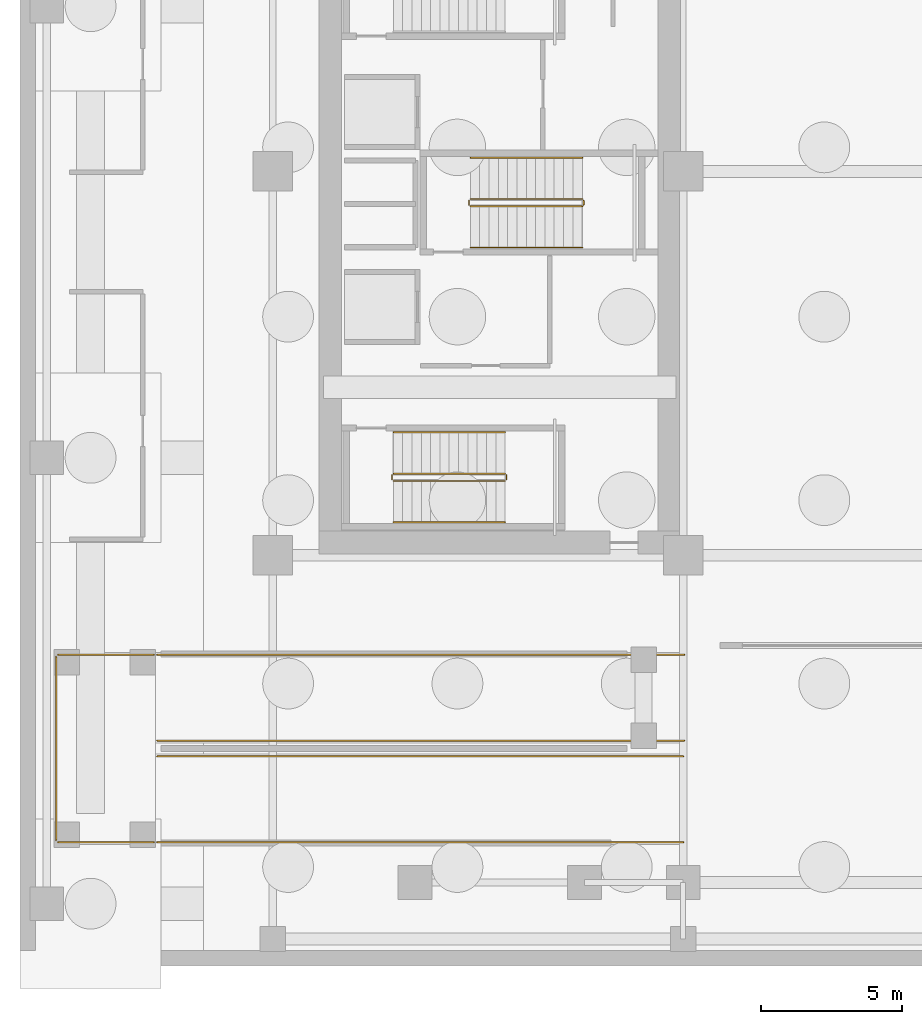
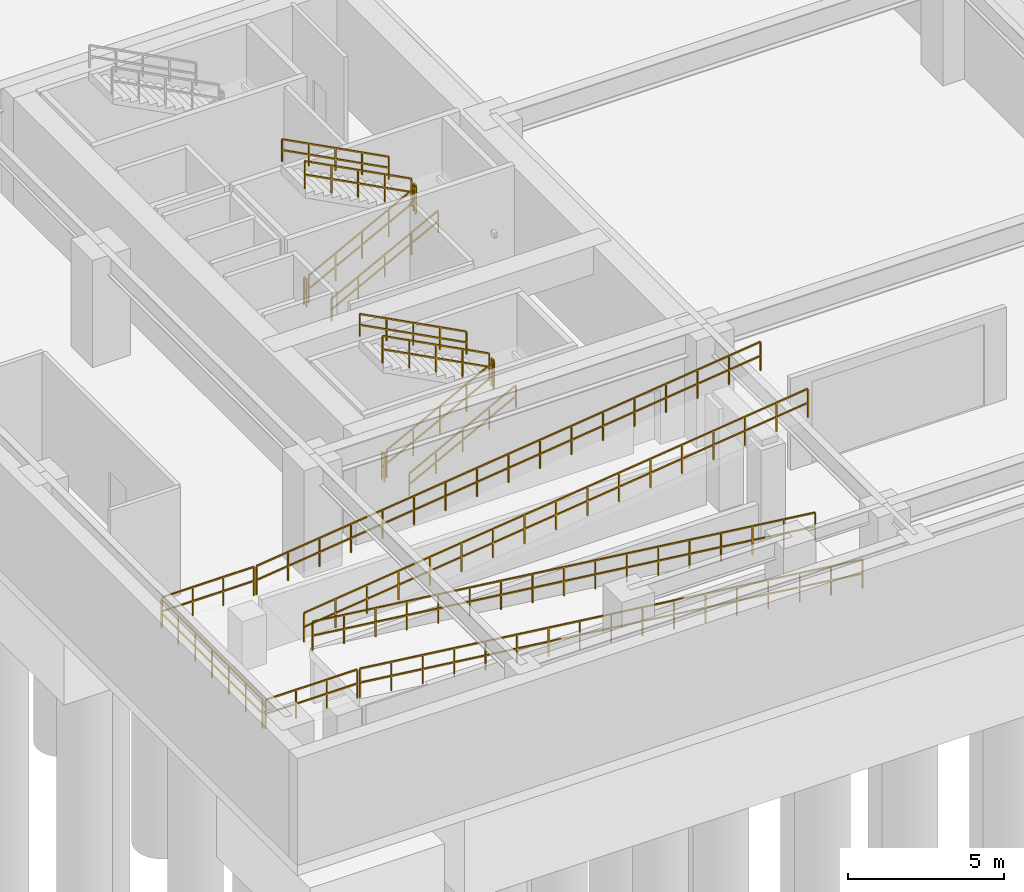
# One storey, part 6 of 9: 19 railings.
"""IFC4 building model written with IfcOpenShell, lengths in metres."""

from ifc_helpers import new_model, si_unit, direction, frame, origin, origin_2d, place, context, subcontext, project, spatial, rectangle, extrude, material, type_object, element, save


model = new_model("IFC4")

# Units and contexts
model_context = context("Model", 3, precision=1e-05, world=origin(), true_north=direction((0.0, 1.0)))
body_context = subcontext(model_context, "Body", "Model", "MODEL_VIEW")
ifc_project = project(units=[si_unit("LENGTHUNIT", "METRE"), si_unit("AREAUNIT", "SQUARE_METRE"), si_unit("VOLUMEUNIT", "CUBIC_METRE"), si_unit("PLANEANGLEUNIT", "RADIAN"), si_unit("MASSUNIT", "GRAM", prefix="KILO")], contexts=[model_context])

# Site, building, storey
site_placement = place(None, origin())
site = spatial("IfcSite", under=ifc_project, at=site_placement, CompositionType="ELEMENT")
building_placement = place(site_placement, origin())
building = spatial("IfcBuilding", under=site, at=building_placement, Name="Ocotamira Hotel", CompositionType="ELEMENT")
storey_placement = place(building_placement, frame((0.0, 0.0, -9.0)))
storey = spatial("IfcBuildingStorey", under=building, at=storey_placement, Name="B02", CompositionType="ELEMENT", Elevation=-9.0)

# Railings
ifc_material_1 = material(Name="Painted steel stair guardrail", Category="steel")
railing_type_1 = type_object("IfcRailingType", Name="RL-EDGE-1150", PredefinedType="GUARDRAIL", material=ifc_material_1)
railing_1_placement = place(storey_placement, frame((4.75, 4.3798828125, 2.25)))
element("IfcRailing", 1, at=railing_1_placement, inside=storey, type_object=railing_type_1, Name="VR-1 Mid Landing Guardrail S", PredefinedType="GUARDRAIL", context=body_context, shape_type="SweptSolid", body=[
    extrude(rectangle(XDim=0.048095703125, YDim=0.048095703125, at=origin_2d()), frame((0.0, 0.0, 1.1259765625), z_axis=(-1.0, 0.0, 0.0), x_axis=(0.0, -1.0, 0.0)), (0.0, 0.0, 1.0), 3.39990234375),
    extrude(rectangle(XDim=0.048095703125, YDim=0.048095703125, at=origin_2d()), frame((0.0, 0.0, 0.574951171875), z_axis=(-1.0, 0.0, 0.0), x_axis=(0.0, -1.0, 0.0)), (0.0, 0.0, 1.0), 3.39990234375),
    extrude(rectangle(XDim=0.0419921875, YDim=0.0419921875, at=origin_2d()), origin(), (0.0, 0.0, 1.0), 1.101806640625),
    extrude(rectangle(XDim=0.0419921875, YDim=0.0419921875, at=origin_2d()), frame((-1.13330078125, 0.0, 0.0)), (0.0, 0.0, 1.0), 1.101806640625),
    extrude(rectangle(XDim=0.0419921875, YDim=0.0419921875, at=origin_2d()), frame((-2.2666015625, 0.0, 0.0)), (0.0, 0.0, 1.0), 1.101806640625),
    extrude(rectangle(XDim=0.0419921875, YDim=0.0419921875, at=origin_2d()), frame((-3.39990234375, 0.0, 0.0)), (0.0, 0.0, 1.0), 1.101806640625),
])
railing_2_placement = place(storey_placement, frame((1.280029296875, 4.449951171875, 2.25)))
element("IfcRailing", 2, at=railing_2_placement, inside=storey, type_object=railing_type_1, Name="VR-1 Mid Landing Guardrail W", PredefinedType="GUARDRAIL", context=body_context, shape_type="SweptSolid", body=[
    extrude(rectangle(XDim=0.048095703125, YDim=0.048095703125, at=origin_2d()), frame((0.0, 0.0, 1.1259765625), z_axis=(0.0, 1.0, 0.0), x_axis=(-1.0, 0.0, 0.0)), (0.0, 0.0, 1.0), 6.5),
    extrude(rectangle(XDim=0.048095703125, YDim=0.048095703125, at=origin_2d()), frame((0.0, 0.0, 0.574951171875), z_axis=(0.0, 1.0, 0.0), x_axis=(-1.0, 0.0, 0.0)), (0.0, 0.0, 1.0), 6.5),
    extrude(rectangle(XDim=0.0419921875, YDim=0.0419921875, at=origin_2d()), origin(), (0.0, 0.0, 1.0), 1.101806640625),
    extrude(rectangle(XDim=0.0419921875, YDim=0.0419921875, at=origin_2d()), frame((0.0, 1.083251953125, 0.0)), (0.0, 0.0, 1.0), 1.101806640625),
    extrude(rectangle(XDim=0.0419921875, YDim=0.0419921875, at=origin_2d()), frame((0.0, 2.166748046875, 0.0)), (0.0, 0.0, 1.0), 1.101806640625),
    extrude(rectangle(XDim=0.0419921875, YDim=0.0419921875, at=origin_2d()), frame((0.0, 3.25, 0.0)), (0.0, 0.0, 1.0), 1.101806640625),
    extrude(rectangle(XDim=0.0419921875, YDim=0.0419921875, at=origin_2d()), frame((0.0, 4.333251953125, 0.0)), (0.0, 0.0, 1.0), 1.101806640625),
    extrude(rectangle(XDim=0.0419921875, YDim=0.0419921875, at=origin_2d()), frame((0.0, 5.416748046875, 0.0)), (0.0, 0.0, 1.0), 1.101806640625),
    extrude(rectangle(XDim=0.0419921875, YDim=0.0419921875, at=origin_2d()), frame((0.0, 6.5, 0.0)), (0.0, 0.0, 1.0), 1.101806640625),
])
railing_3_placement = place(storey_placement, frame((1.35009765625, 11.02001953125, 2.25)))
element("IfcRailing", 3, at=railing_3_placement, inside=storey, type_object=railing_type_1, Name="VR-1 Mid Landing Guardrail N", PredefinedType="GUARDRAIL", context=body_context, shape_type="SweptSolid", body=[
    extrude(rectangle(XDim=0.048095703125, YDim=0.048095703125, at=origin_2d()), frame((0.0, 0.0, 1.1259765625), z_axis=(1.0, 0.0, 0.0), x_axis=(0.0, 1.0, 0.0)), (0.0, 0.0, 1.0), 3.39990234375),
    extrude(rectangle(XDim=0.048095703125, YDim=0.048095703125, at=origin_2d()), frame((0.0, 0.0, 0.574951171875), z_axis=(1.0, 0.0, 0.0), x_axis=(0.0, 1.0, 0.0)), (0.0, 0.0, 1.0), 3.39990234375),
    extrude(rectangle(XDim=0.0419921875, YDim=0.0419921875, at=origin_2d()), origin(), (0.0, 0.0, 1.0), 1.101806640625),
    extrude(rectangle(XDim=0.0419921875, YDim=0.0419921875, at=origin_2d()), frame((1.13330078125, 0.0, 0.0)), (0.0, 0.0, 1.0), 1.101806640625),
    extrude(rectangle(XDim=0.0419921875, YDim=0.0419921875, at=origin_2d()), frame((2.2666015625, 0.0, 0.0)), (0.0, 0.0, 1.0), 1.101806640625),
    extrude(rectangle(XDim=0.0419921875, YDim=0.0419921875, at=origin_2d()), frame((3.39990234375, 0.0, 0.0)), (0.0, 0.0, 1.0), 1.101806640625),
])
railing_4_placement = place(storey_placement, frame((23.5, 4.3798828125, 0.0)))
element("IfcRailing", 4, at=railing_4_placement, inside=storey, type_object=railing_type_1, Name="VR-1 Ramp Guardrail F1S", PredefinedType="GUARDRAIL", context=body_context, shape_type="SweptSolid", body=[
    extrude(rectangle(XDim=0.048095703125, YDim=0.048095703125, at=origin_2d()), frame((0.0, 0.0, 1.1259765625), z_axis=(-0.992800996426, 0.0, 0.119775546316), x_axis=(0.0, -1.0, 0.0)), (0.0, 0.0, 1.0), 18.78515625),
    extrude(rectangle(XDim=0.048095703125, YDim=0.048095703125, at=origin_2d()), frame((0.0, 0.0, 0.574951171875), z_axis=(-0.992800996426, 0.0, 0.119775546316), x_axis=(0.0, -1.0, 0.0)), (0.0, 0.0, 1.0), 18.78515625),
    extrude(rectangle(XDim=0.0419921875, YDim=0.0419921875, at=origin_2d()), origin(), (0.0, 0.0, 1.0), 1.101806640625),
    extrude(rectangle(XDim=0.0419921875, YDim=0.0419921875, at=origin_2d()), frame((-1.16552734375, 0.0, 0.140625)), (0.0, 0.0, 1.0), 1.101806640625),
    extrude(rectangle(XDim=0.0419921875, YDim=0.0419921875, at=origin_2d()), frame((-2.331298828125, 0.0, 0.28125)), (0.0, 0.0, 1.0), 1.101806640625),
    extrude(rectangle(XDim=0.0419921875, YDim=0.0419921875, at=origin_2d()), frame((-3.496826171875, 0.0, 0.421875)), (0.0, 0.0, 1.0), 1.101806640625),
    extrude(rectangle(XDim=0.0419921875, YDim=0.0419921875, at=origin_2d()), frame((-4.66259765625, 0.0, 0.5625)), (0.0, 0.0, 1.0), 1.101806640625),
    extrude(rectangle(XDim=0.0419921875, YDim=0.0419921875, at=origin_2d()), frame((-5.828125, 0.0, 0.703125)), (0.0, 0.0, 1.0), 1.101806640625),
    extrude(rectangle(XDim=0.0419921875, YDim=0.0419921875, at=origin_2d()), frame((-6.99365234375, 0.0, 0.84375)), (0.0, 0.0, 1.0), 1.101806640625),
    extrude(rectangle(XDim=0.0419921875, YDim=0.0419921875, at=origin_2d()), frame((-8.159423828125, 0.0, 0.984375)), (0.0, 0.0, 1.0), 1.101806640625),
    extrude(rectangle(XDim=0.0419921875, YDim=0.0419921875, at=origin_2d()), frame((-9.324951171875, 0.0, 1.125)), (0.0, 0.0, 1.0), 1.101806640625),
    extrude(rectangle(XDim=0.0419921875, YDim=0.0419921875, at=origin_2d()), frame((-10.490478515625, 0.0, 1.265625)), (0.0, 0.0, 1.0), 1.101806640625),
    extrude(rectangle(XDim=0.0419921875, YDim=0.0419921875, at=origin_2d()), frame((-11.65625, 0.0, 1.40625)), (0.0, 0.0, 1.0), 1.101806640625),
    extrude(rectangle(XDim=0.0419921875, YDim=0.0419921875, at=origin_2d()), frame((-12.82177734375, 0.0, 1.546875)), (0.0, 0.0, 1.0), 1.101806640625),
    extrude(rectangle(XDim=0.0419921875, YDim=0.0419921875, at=origin_2d()), frame((-13.9873046875, 0.0, 1.6875)), (0.0, 0.0, 1.0), 1.101806640625),
    extrude(rectangle(XDim=0.0419921875, YDim=0.0419921875, at=origin_2d()), frame((-15.153076171875, 0.0, 1.828125)), (0.0, 0.0, 1.0), 1.101806640625),
    extrude(rectangle(XDim=0.0419921875, YDim=0.0419921875, at=origin_2d()), frame((-16.318603515625, 0.0, 1.96875)), (0.0, 0.0, 1.0), 1.101806640625),
    extrude(rectangle(XDim=0.0419921875, YDim=0.0419921875, at=origin_2d()), frame((-17.484375, 0.0, 2.109375)), (0.0, 0.0, 1.0), 1.101806640625),
    extrude(rectangle(XDim=0.0419921875, YDim=0.0419921875, at=origin_2d()), frame((-18.64990234375, 0.0, 2.25)), (0.0, 0.0, 1.0), 1.101806640625),
])
railing_5_placement = place(storey_placement, frame((23.5, 7.419921875, 0.0)))
element("IfcRailing", 5, at=railing_5_placement, inside=storey, type_object=railing_type_1, Name="VR-1 Ramp Guardrail F1N", PredefinedType="GUARDRAIL", context=body_context, shape_type="SweptSolid", body=[
    extrude(rectangle(XDim=0.048095703125, YDim=0.048095703125, at=origin_2d()), frame((0.0, 0.0, 1.1259765625), z_axis=(-0.992800996426, 0.0, 0.119775546316), x_axis=(0.0, -1.0, 0.0)), (0.0, 0.0, 1.0), 18.78515625),
    extrude(rectangle(XDim=0.048095703125, YDim=0.048095703125, at=origin_2d()), frame((0.0, 0.0, 0.574951171875), z_axis=(-0.992800996426, 0.0, 0.119775546316), x_axis=(0.0, -1.0, 0.0)), (0.0, 0.0, 1.0), 18.78515625),
    extrude(rectangle(XDim=0.0419921875, YDim=0.0419921875, at=origin_2d()), origin(), (0.0, 0.0, 1.0), 1.101806640625),
    extrude(rectangle(XDim=0.0419921875, YDim=0.0419921875, at=origin_2d()), frame((-1.16552734375, 0.0, 0.140625)), (0.0, 0.0, 1.0), 1.101806640625),
    extrude(rectangle(XDim=0.0419921875, YDim=0.0419921875, at=origin_2d()), frame((-2.331298828125, 0.0, 0.28125)), (0.0, 0.0, 1.0), 1.101806640625),
    extrude(rectangle(XDim=0.0419921875, YDim=0.0419921875, at=origin_2d()), frame((-3.496826171875, 0.0, 0.421875)), (0.0, 0.0, 1.0), 1.101806640625),
    extrude(rectangle(XDim=0.0419921875, YDim=0.0419921875, at=origin_2d()), frame((-4.66259765625, 0.0, 0.5625)), (0.0, 0.0, 1.0), 1.101806640625),
    extrude(rectangle(XDim=0.0419921875, YDim=0.0419921875, at=origin_2d()), frame((-5.828125, 0.0, 0.703125)), (0.0, 0.0, 1.0), 1.101806640625),
    extrude(rectangle(XDim=0.0419921875, YDim=0.0419921875, at=origin_2d()), frame((-6.99365234375, 0.0, 0.84375)), (0.0, 0.0, 1.0), 1.101806640625),
    extrude(rectangle(XDim=0.0419921875, YDim=0.0419921875, at=origin_2d()), frame((-8.159423828125, 0.0, 0.984375)), (0.0, 0.0, 1.0), 1.101806640625),
    extrude(rectangle(XDim=0.0419921875, YDim=0.0419921875, at=origin_2d()), frame((-9.324951171875, 0.0, 1.125)), (0.0, 0.0, 1.0), 1.101806640625),
    extrude(rectangle(XDim=0.0419921875, YDim=0.0419921875, at=origin_2d()), frame((-10.490478515625, 0.0, 1.265625)), (0.0, 0.0, 1.0), 1.101806640625),
    extrude(rectangle(XDim=0.0419921875, YDim=0.0419921875, at=origin_2d()), frame((-11.65625, 0.0, 1.40625)), (0.0, 0.0, 1.0), 1.101806640625),
    extrude(rectangle(XDim=0.0419921875, YDim=0.0419921875, at=origin_2d()), frame((-12.82177734375, 0.0, 1.546875)), (0.0, 0.0, 1.0), 1.101806640625),
    extrude(rectangle(XDim=0.0419921875, YDim=0.0419921875, at=origin_2d()), frame((-13.9873046875, 0.0, 1.6875)), (0.0, 0.0, 1.0), 1.101806640625),
    extrude(rectangle(XDim=0.0419921875, YDim=0.0419921875, at=origin_2d()), frame((-15.153076171875, 0.0, 1.828125)), (0.0, 0.0, 1.0), 1.101806640625),
    extrude(rectangle(XDim=0.0419921875, YDim=0.0419921875, at=origin_2d()), frame((-16.318603515625, 0.0, 1.96875)), (0.0, 0.0, 1.0), 1.101806640625),
    extrude(rectangle(XDim=0.0419921875, YDim=0.0419921875, at=origin_2d()), frame((-17.484375, 0.0, 2.109375)), (0.0, 0.0, 1.0), 1.101806640625),
    extrude(rectangle(XDim=0.0419921875, YDim=0.0419921875, at=origin_2d()), frame((-18.64990234375, 0.0, 2.25)), (0.0, 0.0, 1.0), 1.101806640625),
])
railing_6_placement = place(storey_placement, frame((4.85009765625, 7.97998046875, 2.25)))
element("IfcRailing", 6, at=railing_6_placement, inside=storey, type_object=railing_type_1, Name="VR-1 Ramp Guardrail F2S", PredefinedType="GUARDRAIL", context=body_context, shape_type="SweptSolid", body=[
    extrude(rectangle(XDim=0.048095703125, YDim=0.048095703125, at=origin_2d()), frame((0.0, 0.0, 1.1259765625), z_axis=(0.992839067522, 0.0, 0.119459558017), x_axis=(0.0, 1.0, 0.0)), (0.0, 0.0, 1.0), 18.834716796875),
    extrude(rectangle(XDim=0.048095703125, YDim=0.048095703125, at=origin_2d()), frame((0.0, 0.0, 0.574951171875), z_axis=(0.992839067522, 0.0, 0.119459558017), x_axis=(0.0, 1.0, 0.0)), (0.0, 0.0, 1.0), 18.834716796875),
    extrude(rectangle(XDim=0.0419921875, YDim=0.0419921875, at=origin_2d()), origin(), (0.0, 0.0, 1.0), 1.101806640625),
    extrude(rectangle(XDim=0.0419921875, YDim=0.0419921875, at=origin_2d()), frame((1.168701171875, 0.0, 0.140625)), (0.0, 0.0, 1.0), 1.101806640625),
    extrude(rectangle(XDim=0.0419921875, YDim=0.0419921875, at=origin_2d()), frame((2.33740234375, 0.0, 0.28125)), (0.0, 0.0, 1.0), 1.101806640625),
    extrude(rectangle(XDim=0.0419921875, YDim=0.0419921875, at=origin_2d()), frame((3.50634765625, 0.0, 0.421875)), (0.0, 0.0, 1.0), 1.101806640625),
    extrude(rectangle(XDim=0.0419921875, YDim=0.0419921875, at=origin_2d()), frame((4.675048828125, 0.0, 0.5625)), (0.0, 0.0, 1.0), 1.101806640625),
    extrude(rectangle(XDim=0.0419921875, YDim=0.0419921875, at=origin_2d()), frame((5.84375, 0.0, 0.703125)), (0.0, 0.0, 1.0), 1.101806640625),
    extrude(rectangle(XDim=0.0419921875, YDim=0.0419921875, at=origin_2d()), frame((7.012451171875, 0.0, 0.84375)), (0.0, 0.0, 1.0), 1.101806640625),
    extrude(rectangle(XDim=0.0419921875, YDim=0.0419921875, at=origin_2d()), frame((8.18115234375, 0.0, 0.984375)), (0.0, 0.0, 1.0), 1.101806640625),
    extrude(rectangle(XDim=0.0419921875, YDim=0.0419921875, at=origin_2d()), frame((9.35009765625, 0.0, 1.125)), (0.0, 0.0, 1.0), 1.101806640625),
    extrude(rectangle(XDim=0.0419921875, YDim=0.0419921875, at=origin_2d()), frame((10.518798828125, 0.0, 1.265625)), (0.0, 0.0, 1.0), 1.101806640625),
    extrude(rectangle(XDim=0.0419921875, YDim=0.0419921875, at=origin_2d()), frame((11.6875, 0.0, 1.40625)), (0.0, 0.0, 1.0), 1.101806640625),
    extrude(rectangle(XDim=0.0419921875, YDim=0.0419921875, at=origin_2d()), frame((12.856201171875, 0.0, 1.546875)), (0.0, 0.0, 1.0), 1.101806640625),
    extrude(rectangle(XDim=0.0419921875, YDim=0.0419921875, at=origin_2d()), frame((14.02490234375, 0.0, 1.6875)), (0.0, 0.0, 1.0), 1.101806640625),
    extrude(rectangle(XDim=0.0419921875, YDim=0.0419921875, at=origin_2d()), frame((15.193603515625, 0.0, 1.828125)), (0.0, 0.0, 1.0), 1.101806640625),
    extrude(rectangle(XDim=0.0419921875, YDim=0.0419921875, at=origin_2d()), frame((16.362548828125, 0.0, 1.96875)), (0.0, 0.0, 1.0), 1.101806640625),
    extrude(rectangle(XDim=0.0419921875, YDim=0.0419921875, at=origin_2d()), frame((17.53125, 0.0, 2.109375)), (0.0, 0.0, 1.0), 1.101806640625),
    extrude(rectangle(XDim=0.0419921875, YDim=0.0419921875, at=origin_2d()), frame((18.699951171875, 0.0, 2.25)), (0.0, 0.0, 1.0), 1.101806640625),
])
railing_7_placement = place(storey_placement, frame((4.85009765625, 11.02001953125, 2.25)))
element("IfcRailing", 7, at=railing_7_placement, inside=storey, type_object=railing_type_1, Name="VR-1 Ramp Guardrail F2N", PredefinedType="GUARDRAIL", context=body_context, shape_type="SweptSolid", body=[
    extrude(rectangle(XDim=0.048095703125, YDim=0.048095703125, at=origin_2d()), frame((0.0, 0.0, 1.1259765625), z_axis=(0.992839067522, 0.0, 0.119459558017), x_axis=(0.0, 1.0, 0.0)), (0.0, 0.0, 1.0), 18.834716796875),
    extrude(rectangle(XDim=0.048095703125, YDim=0.048095703125, at=origin_2d()), frame((0.0, 0.0, 0.574951171875), z_axis=(0.992839067522, 0.0, 0.119459558017), x_axis=(0.0, 1.0, 0.0)), (0.0, 0.0, 1.0), 18.834716796875),
    extrude(rectangle(XDim=0.0419921875, YDim=0.0419921875, at=origin_2d()), origin(), (0.0, 0.0, 1.0), 1.101806640625),
    extrude(rectangle(XDim=0.0419921875, YDim=0.0419921875, at=origin_2d()), frame((1.168701171875, 0.0, 0.140625)), (0.0, 0.0, 1.0), 1.101806640625),
    extrude(rectangle(XDim=0.0419921875, YDim=0.0419921875, at=origin_2d()), frame((2.33740234375, 0.0, 0.28125)), (0.0, 0.0, 1.0), 1.101806640625),
    extrude(rectangle(XDim=0.0419921875, YDim=0.0419921875, at=origin_2d()), frame((3.50634765625, 0.0, 0.421875)), (0.0, 0.0, 1.0), 1.101806640625),
    extrude(rectangle(XDim=0.0419921875, YDim=0.0419921875, at=origin_2d()), frame((4.675048828125, 0.0, 0.5625)), (0.0, 0.0, 1.0), 1.101806640625),
    extrude(rectangle(XDim=0.0419921875, YDim=0.0419921875, at=origin_2d()), frame((5.84375, 0.0, 0.703125)), (0.0, 0.0, 1.0), 1.101806640625),
    extrude(rectangle(XDim=0.0419921875, YDim=0.0419921875, at=origin_2d()), frame((7.012451171875, 0.0, 0.84375)), (0.0, 0.0, 1.0), 1.101806640625),
    extrude(rectangle(XDim=0.0419921875, YDim=0.0419921875, at=origin_2d()), frame((8.18115234375, 0.0, 0.984375)), (0.0, 0.0, 1.0), 1.101806640625),
    extrude(rectangle(XDim=0.0419921875, YDim=0.0419921875, at=origin_2d()), frame((9.35009765625, 0.0, 1.125)), (0.0, 0.0, 1.0), 1.101806640625),
    extrude(rectangle(XDim=0.0419921875, YDim=0.0419921875, at=origin_2d()), frame((10.518798828125, 0.0, 1.265625)), (0.0, 0.0, 1.0), 1.101806640625),
    extrude(rectangle(XDim=0.0419921875, YDim=0.0419921875, at=origin_2d()), frame((11.6875, 0.0, 1.40625)), (0.0, 0.0, 1.0), 1.101806640625),
    extrude(rectangle(XDim=0.0419921875, YDim=0.0419921875, at=origin_2d()), frame((12.856201171875, 0.0, 1.546875)), (0.0, 0.0, 1.0), 1.101806640625),
    extrude(rectangle(XDim=0.0419921875, YDim=0.0419921875, at=origin_2d()), frame((14.02490234375, 0.0, 1.6875)), (0.0, 0.0, 1.0), 1.101806640625),
    extrude(rectangle(XDim=0.0419921875, YDim=0.0419921875, at=origin_2d()), frame((15.193603515625, 0.0, 1.828125)), (0.0, 0.0, 1.0), 1.101806640625),
    extrude(rectangle(XDim=0.0419921875, YDim=0.0419921875, at=origin_2d()), frame((16.362548828125, 0.0, 1.96875)), (0.0, 0.0, 1.0), 1.101806640625),
    extrude(rectangle(XDim=0.0419921875, YDim=0.0419921875, at=origin_2d()), frame((17.53125, 0.0, 2.109375)), (0.0, 0.0, 1.0), 1.101806640625),
    extrude(rectangle(XDim=0.0419921875, YDim=0.0419921875, at=origin_2d()), frame((18.699951171875, 0.0, 2.25)), (0.0, 0.0, 1.0), 1.101806640625),
])
ifc_material_2 = material(Name="Brushed stainless steel handrail", Category="steel")
railing_type_2 = type_object("IfcRailingType", Name="RL-HAND-900", PredefinedType="HANDRAIL", material=ifc_material_2)
railing_8_placement = place(storey_placement, frame((13.22998046875, 15.719970703125, 0.34619140625)))
element("IfcRailing", 8, at=railing_8_placement, inside=storey, type_object=railing_type_2, Name="B02 ST-1 stair handrail 1", PredefinedType="HANDRAIL", context=body_context, shape_type="SweptSolid", body=[
    extrude(rectangle(XDim=0.048095703125, YDim=0.048095703125, at=origin_2d()), frame((0.0, 0.0, 0.8759765625), z_axis=(0.885588829464, 0.0, 0.464470047611), x_axis=(0.0, 1.0, 0.0)), (0.0, 0.0, 1.0), 4.471435546875),
    extrude(rectangle(XDim=0.048095703125, YDim=0.048095703125, at=origin_2d()), frame((0.0, 0.0, 0.449951171875), z_axis=(0.885588829464, 0.0, 0.464470047611), x_axis=(0.0, 1.0, 0.0)), (0.0, 0.0, 1.0), 4.471435546875),
    extrude(rectangle(XDim=0.0419921875, YDim=0.0419921875, at=origin_2d()), origin(), (0.0, 0.0, 1.0), 0.851806640625),
    extrude(rectangle(XDim=0.0419921875, YDim=0.0419921875, at=origin_2d()), frame((0.989990234375, 0.0, 0.519287109375)), (0.0, 0.0, 1.0), 0.851806640625),
    extrude(rectangle(XDim=0.0419921875, YDim=0.0419921875, at=origin_2d()), frame((1.97998046875, 0.0, 1.03857421875)), (0.0, 0.0, 1.0), 0.851806640625),
    extrude(rectangle(XDim=0.0419921875, YDim=0.0419921875, at=origin_2d()), frame((2.969970703125, 0.0, 1.5576171875)), (0.0, 0.0, 1.0), 0.851806640625),
    extrude(rectangle(XDim=0.0419921875, YDim=0.0419921875, at=origin_2d()), frame((3.9599609375, 0.0, 2.076904296875)), (0.0, 0.0, 1.0), 0.851806640625),
])
railing_9_placement = place(storey_placement, frame((17.18994140625, 18.89990234375, 2.59619140625)))
element("IfcRailing", 9, at=railing_9_placement, inside=storey, type_object=railing_type_2, Name="B02 ST-1 stair handrail 2", PredefinedType="HANDRAIL", context=body_context, shape_type="SweptSolid", body=[
    extrude(rectangle(XDim=0.048095703125, YDim=0.048095703125, at=origin_2d()), frame((0.0, 0.0, 0.8759765625), z_axis=(-0.885588829464, 0.0, 0.464470047611), x_axis=(0.0, -1.0, 0.0)), (0.0, 0.0, 1.0), 4.471435546875),
    extrude(rectangle(XDim=0.048095703125, YDim=0.048095703125, at=origin_2d()), frame((0.0, 0.0, 0.449951171875), z_axis=(-0.885588829464, 0.0, 0.464470047611), x_axis=(0.0, -1.0, 0.0)), (0.0, 0.0, 1.0), 4.471435546875),
    extrude(rectangle(XDim=0.0419921875, YDim=0.0419921875, at=origin_2d()), origin(), (0.0, 0.0, 1.0), 0.851806640625),
    extrude(rectangle(XDim=0.0419921875, YDim=0.0419921875, at=origin_2d()), frame((-0.989990234375, 0.0, 0.519287109375)), (0.0, 0.0, 1.0), 0.851806640625),
    extrude(rectangle(XDim=0.0419921875, YDim=0.0419921875, at=origin_2d()), frame((-1.97998046875, 0.0, 1.03857421875)), (0.0, 0.0, 1.0), 0.851806640625),
    extrude(rectangle(XDim=0.0419921875, YDim=0.0419921875, at=origin_2d()), frame((-2.969970703125, 0.0, 1.5576171875)), (0.0, 0.0, 1.0), 0.851806640625),
    extrude(rectangle(XDim=0.0419921875, YDim=0.0419921875, at=origin_2d()), frame((-3.9599609375, 0.0, 2.076904296875)), (0.0, 0.0, 1.0), 0.851806640625),
])
railing_10_placement = place(storey_placement, frame((15.9599609375, 25.449951171875, 0.34619140625)))
element("IfcRailing", 10, at=railing_10_placement, inside=storey, type_object=railing_type_2, Name="B02 ST-3 stair handrail 1", PredefinedType="HANDRAIL", context=body_context, shape_type="SweptSolid", body=[
    extrude(rectangle(XDim=0.048095703125, YDim=0.048095703125, at=origin_2d()), frame((0.0, 0.0, 0.8759765625), z_axis=(0.885588829464, 0.0, 0.464470047611), x_axis=(0.0, 1.0, 0.0)), (0.0, 0.0, 1.0), 4.471435546875),
    extrude(rectangle(XDim=0.048095703125, YDim=0.048095703125, at=origin_2d()), frame((0.0, 0.0, 0.449951171875), z_axis=(0.885588829464, 0.0, 0.464470047611), x_axis=(0.0, 1.0, 0.0)), (0.0, 0.0, 1.0), 4.471435546875),
    extrude(rectangle(XDim=0.0419921875, YDim=0.0419921875, at=origin_2d()), origin(), (0.0, 0.0, 1.0), 0.851806640625),
    extrude(rectangle(XDim=0.0419921875, YDim=0.0419921875, at=origin_2d()), frame((0.989990234375, 0.0, 0.519287109375)), (0.0, 0.0, 1.0), 0.851806640625),
    extrude(rectangle(XDim=0.0419921875, YDim=0.0419921875, at=origin_2d()), frame((1.97998046875, 0.0, 1.03857421875)), (0.0, 0.0, 1.0), 0.851806640625),
    extrude(rectangle(XDim=0.0419921875, YDim=0.0419921875, at=origin_2d()), frame((2.969970703125, 0.0, 1.5576171875)), (0.0, 0.0, 1.0), 0.851806640625),
    extrude(rectangle(XDim=0.0419921875, YDim=0.0419921875, at=origin_2d()), frame((3.9599609375, 0.0, 2.076904296875)), (0.0, 0.0, 1.0), 0.851806640625),
])
railing_11_placement = place(storey_placement, frame((19.919921875, 28.6298828125, 2.59619140625)))
element("IfcRailing", 11, at=railing_11_placement, inside=storey, type_object=railing_type_2, Name="B02 ST-3 stair handrail 2", PredefinedType="HANDRAIL", context=body_context, shape_type="SweptSolid", body=[
    extrude(rectangle(XDim=0.048095703125, YDim=0.048095703125, at=origin_2d()), frame((0.0, 0.0, 0.8759765625), z_axis=(-0.885588829464, 0.0, 0.464470047611), x_axis=(0.0, -1.0, 0.0)), (0.0, 0.0, 1.0), 4.471435546875),
    extrude(rectangle(XDim=0.048095703125, YDim=0.048095703125, at=origin_2d()), frame((0.0, 0.0, 0.449951171875), z_axis=(-0.885588829464, 0.0, 0.464470047611), x_axis=(0.0, -1.0, 0.0)), (0.0, 0.0, 1.0), 4.471435546875),
    extrude(rectangle(XDim=0.0419921875, YDim=0.0419921875, at=origin_2d()), origin(), (0.0, 0.0, 1.0), 0.851806640625),
    extrude(rectangle(XDim=0.0419921875, YDim=0.0419921875, at=origin_2d()), frame((-0.989990234375, 0.0, 0.519287109375)), (0.0, 0.0, 1.0), 0.851806640625),
    extrude(rectangle(XDim=0.0419921875, YDim=0.0419921875, at=origin_2d()), frame((-1.97998046875, 0.0, 1.03857421875)), (0.0, 0.0, 1.0), 0.851806640625),
    extrude(rectangle(XDim=0.0419921875, YDim=0.0419921875, at=origin_2d()), frame((-2.969970703125, 0.0, 1.5576171875)), (0.0, 0.0, 1.0), 0.851806640625),
    extrude(rectangle(XDim=0.0419921875, YDim=0.0419921875, at=origin_2d()), frame((-3.9599609375, 0.0, 2.076904296875)), (0.0, 0.0, 1.0), 0.851806640625),
])
railing_type_3 = type_object("IfcRailingType", Name="RL-STAIR-1100", PredefinedType="GUARDRAIL", material=ifc_material_1)
railing_12_placement = place(storey_placement, frame((13.22998046875, 17.179931640625, 0.173095703125)))
element("IfcRailing", 12, at=railing_12_placement, inside=storey, type_object=railing_type_3, Name="B02 ST-1 stair guard 1", PredefinedType="GUARDRAIL", context=body_context, shape_type="SweptSolid", body=[
    extrude(rectangle(XDim=0.048095703125, YDim=0.048095703125, at=origin_2d()), frame((0.0, 0.0, 1.076171875), z_axis=(0.885588829464, 0.0, 0.464470047611), x_axis=(0.0, 1.0, 0.0)), (0.0, 0.0, 1.0), 4.471435546875),
    extrude(rectangle(XDim=0.048095703125, YDim=0.048095703125, at=origin_2d()), frame((0.0, 0.0, 0.550048828125), z_axis=(0.885588829464, 0.0, 0.464470047611), x_axis=(0.0, 1.0, 0.0)), (0.0, 0.0, 1.0), 4.471435546875),
    extrude(rectangle(XDim=0.0419921875, YDim=0.0419921875, at=origin_2d()), origin(), (0.0, 0.0, 1.0), 1.052001953125),
    extrude(rectangle(XDim=0.0419921875, YDim=0.0419921875, at=origin_2d()), frame((0.989990234375, 0.0, 0.519287109375)), (0.0, 0.0, 1.0), 1.052001953125),
    extrude(rectangle(XDim=0.0419921875, YDim=0.0419921875, at=origin_2d()), frame((1.97998046875, 0.0, 1.03857421875)), (0.0, 0.0, 1.0), 1.052001953125),
    extrude(rectangle(XDim=0.0419921875, YDim=0.0419921875, at=origin_2d()), frame((2.969970703125, 0.0, 1.5576171875)), (0.0, 0.0, 1.0), 1.052001953125),
    extrude(rectangle(XDim=0.0419921875, YDim=0.0419921875, at=origin_2d()), frame((3.9599609375, 0.0, 2.076904296875)), (0.0, 0.0, 1.0), 1.052001953125),
])
railing_13_placement = place(storey_placement, frame((17.239990234375, 17.22998046875, 2.25)))
element("IfcRailing", 13, at=railing_13_placement, inside=storey, type_object=railing_type_3, Name="B02 ST-1 stair guard 2", PredefinedType="GUARDRAIL", context=body_context, shape_type="SweptSolid", body=[
    extrude(rectangle(XDim=0.048095703125, YDim=0.048095703125, at=origin_2d()), frame((0.0, 0.0, 1.076171875), z_axis=(0.0, 1.0, 0.0), x_axis=(-1.0, 0.0, 0.0)), (0.0, 0.0, 1.0), 0.159912109375),
    extrude(rectangle(XDim=0.048095703125, YDim=0.048095703125, at=origin_2d()), frame((0.0, 0.0, 0.550048828125), z_axis=(0.0, 1.0, 0.0), x_axis=(-1.0, 0.0, 0.0)), (0.0, 0.0, 1.0), 0.159912109375),
    extrude(rectangle(XDim=0.0419921875, YDim=0.0419921875, at=origin_2d()), origin(), (0.0, 0.0, 1.0), 1.052001953125),
    extrude(rectangle(XDim=0.0419921875, YDim=0.0419921875, at=origin_2d()), frame((0.0, 0.159912109375, 0.0)), (0.0, 0.0, 1.0), 1.052001953125),
])
railing_14_placement = place(storey_placement, frame((17.18994140625, 17.43994140625, 2.423095703125)))
element("IfcRailing", 14, at=railing_14_placement, inside=storey, type_object=railing_type_3, Name="B02 ST-1 stair guard 3", PredefinedType="GUARDRAIL", context=body_context, shape_type="SweptSolid", body=[
    extrude(rectangle(XDim=0.048095703125, YDim=0.048095703125, at=origin_2d()), frame((0.0, 0.0, 1.076171875), z_axis=(-0.885588829464, 0.0, 0.464470047611), x_axis=(0.0, -1.0, 0.0)), (0.0, 0.0, 1.0), 4.471435546875),
    extrude(rectangle(XDim=0.048095703125, YDim=0.048095703125, at=origin_2d()), frame((0.0, 0.0, 0.550048828125), z_axis=(-0.885588829464, 0.0, 0.464470047611), x_axis=(0.0, -1.0, 0.0)), (0.0, 0.0, 1.0), 4.471435546875),
    extrude(rectangle(XDim=0.0419921875, YDim=0.0419921875, at=origin_2d()), origin(), (0.0, 0.0, 1.0), 1.052001953125),
    extrude(rectangle(XDim=0.0419921875, YDim=0.0419921875, at=origin_2d()), frame((-0.989990234375, 0.0, 0.519287109375)), (0.0, 0.0, 1.0), 1.052001953125),
    extrude(rectangle(XDim=0.0419921875, YDim=0.0419921875, at=origin_2d()), frame((-1.97998046875, 0.0, 1.03857421875)), (0.0, 0.0, 1.0), 1.052001953125),
    extrude(rectangle(XDim=0.0419921875, YDim=0.0419921875, at=origin_2d()), frame((-2.969970703125, 0.0, 1.5576171875)), (0.0, 0.0, 1.0), 1.052001953125),
    extrude(rectangle(XDim=0.0419921875, YDim=0.0419921875, at=origin_2d()), frame((-3.9599609375, 0.0, 2.076904296875)), (0.0, 0.0, 1.0), 1.052001953125),
])
railing_15_placement = place(storey_placement, frame((13.179931640625, 17.22998046875, 0.0)))
element("IfcRailing", 15, at=railing_15_placement, inside=storey, type_object=railing_type_3, Name="B02 ST-1 stair guard 4", PredefinedType="GUARDRAIL", context=body_context, shape_type="SweptSolid", body=[
    extrude(rectangle(XDim=0.048095703125, YDim=0.048095703125, at=origin_2d()), frame((0.0, 0.0, 1.076171875), z_axis=(0.0, 1.0, 0.0), x_axis=(-1.0, 0.0, 0.0)), (0.0, 0.0, 1.0), 0.159912109375),
    extrude(rectangle(XDim=0.048095703125, YDim=0.048095703125, at=origin_2d()), frame((0.0, 0.0, 0.550048828125), z_axis=(0.0, 1.0, 0.0), x_axis=(-1.0, 0.0, 0.0)), (0.0, 0.0, 1.0), 0.159912109375),
    extrude(rectangle(XDim=0.0419921875, YDim=0.0419921875, at=origin_2d()), origin(), (0.0, 0.0, 1.0), 1.052001953125),
    extrude(rectangle(XDim=0.0419921875, YDim=0.0419921875, at=origin_2d()), frame((0.0, 0.159912109375, 0.0)), (0.0, 0.0, 1.0), 1.052001953125),
])
railing_16_placement = place(storey_placement, frame((15.9599609375, 26.909912109375, 0.173095703125)))
element("IfcRailing", 16, at=railing_16_placement, inside=storey, type_object=railing_type_3, Name="B02 ST-3 stair guard 1", PredefinedType="GUARDRAIL", context=body_context, shape_type="SweptSolid", body=[
    extrude(rectangle(XDim=0.048095703125, YDim=0.048095703125, at=origin_2d()), frame((0.0, 0.0, 1.076171875), z_axis=(0.885588829464, 0.0, 0.464470047611), x_axis=(0.0, 1.0, 0.0)), (0.0, 0.0, 1.0), 4.471435546875),
    extrude(rectangle(XDim=0.048095703125, YDim=0.048095703125, at=origin_2d()), frame((0.0, 0.0, 0.550048828125), z_axis=(0.885588829464, 0.0, 0.464470047611), x_axis=(0.0, 1.0, 0.0)), (0.0, 0.0, 1.0), 4.471435546875),
    extrude(rectangle(XDim=0.0419921875, YDim=0.0419921875, at=origin_2d()), origin(), (0.0, 0.0, 1.0), 1.052001953125),
    extrude(rectangle(XDim=0.0419921875, YDim=0.0419921875, at=origin_2d()), frame((0.989990234375, 0.0, 0.519287109375)), (0.0, 0.0, 1.0), 1.052001953125),
    extrude(rectangle(XDim=0.0419921875, YDim=0.0419921875, at=origin_2d()), frame((1.97998046875, 0.0, 1.03857421875)), (0.0, 0.0, 1.0), 1.052001953125),
    extrude(rectangle(XDim=0.0419921875, YDim=0.0419921875, at=origin_2d()), frame((2.969970703125, 0.0, 1.5576171875)), (0.0, 0.0, 1.0), 1.052001953125),
    extrude(rectangle(XDim=0.0419921875, YDim=0.0419921875, at=origin_2d()), frame((3.9599609375, 0.0, 2.076904296875)), (0.0, 0.0, 1.0), 1.052001953125),
])
railing_17_placement = place(storey_placement, frame((19.969970703125, 26.9599609375, 2.25)))
element("IfcRailing", 17, at=railing_17_placement, inside=storey, type_object=railing_type_3, Name="B02 ST-3 stair guard 2", PredefinedType="GUARDRAIL", context=body_context, shape_type="SweptSolid", body=[
    extrude(rectangle(XDim=0.048095703125, YDim=0.048095703125, at=origin_2d()), frame((0.0, 0.0, 1.076171875), z_axis=(0.0, 1.0, 0.0), x_axis=(-1.0, 0.0, 0.0)), (0.0, 0.0, 1.0), 0.16015625),
    extrude(rectangle(XDim=0.048095703125, YDim=0.048095703125, at=origin_2d()), frame((0.0, 0.0, 0.550048828125), z_axis=(0.0, 1.0, 0.0), x_axis=(-1.0, 0.0, 0.0)), (0.0, 0.0, 1.0), 0.16015625),
    extrude(rectangle(XDim=0.0419921875, YDim=0.0419921875, at=origin_2d()), origin(), (0.0, 0.0, 1.0), 1.052001953125),
    extrude(rectangle(XDim=0.0419921875, YDim=0.0419921875, at=origin_2d()), frame((0.0, 0.16015625, 0.0)), (0.0, 0.0, 1.0), 1.052001953125),
])
railing_18_placement = place(storey_placement, frame((19.919921875, 27.169921875, 2.423095703125)))
element("IfcRailing", 18, at=railing_18_placement, inside=storey, type_object=railing_type_3, Name="B02 ST-3 stair guard 3", PredefinedType="GUARDRAIL", context=body_context, shape_type="SweptSolid", body=[
    extrude(rectangle(XDim=0.048095703125, YDim=0.048095703125, at=origin_2d()), frame((0.0, 0.0, 1.076171875), z_axis=(-0.885588829464, 0.0, 0.464470047611), x_axis=(0.0, -1.0, 0.0)), (0.0, 0.0, 1.0), 4.471435546875),
    extrude(rectangle(XDim=0.048095703125, YDim=0.048095703125, at=origin_2d()), frame((0.0, 0.0, 0.550048828125), z_axis=(-0.885588829464, 0.0, 0.464470047611), x_axis=(0.0, -1.0, 0.0)), (0.0, 0.0, 1.0), 4.471435546875),
    extrude(rectangle(XDim=0.0419921875, YDim=0.0419921875, at=origin_2d()), origin(), (0.0, 0.0, 1.0), 1.052001953125),
    extrude(rectangle(XDim=0.0419921875, YDim=0.0419921875, at=origin_2d()), frame((-0.989990234375, 0.0, 0.519287109375)), (0.0, 0.0, 1.0), 1.052001953125),
    extrude(rectangle(XDim=0.0419921875, YDim=0.0419921875, at=origin_2d()), frame((-1.97998046875, 0.0, 1.03857421875)), (0.0, 0.0, 1.0), 1.052001953125),
    extrude(rectangle(XDim=0.0419921875, YDim=0.0419921875, at=origin_2d()), frame((-2.969970703125, 0.0, 1.5576171875)), (0.0, 0.0, 1.0), 1.052001953125),
    extrude(rectangle(XDim=0.0419921875, YDim=0.0419921875, at=origin_2d()), frame((-3.9599609375, 0.0, 2.076904296875)), (0.0, 0.0, 1.0), 1.052001953125),
])
railing_19_placement = place(storey_placement, frame((15.909912109375, 26.9599609375, 0.0)))
element("IfcRailing", 19, at=railing_19_placement, inside=storey, type_object=railing_type_3, Name="B02 ST-3 stair guard 4", PredefinedType="GUARDRAIL", context=body_context, shape_type="SweptSolid", body=[
    extrude(rectangle(XDim=0.048095703125, YDim=0.048095703125, at=origin_2d()), frame((0.0, 0.0, 1.076171875), z_axis=(0.0, 1.0, 0.0), x_axis=(-1.0, 0.0, 0.0)), (0.0, 0.0, 1.0), 0.16015625),
    extrude(rectangle(XDim=0.048095703125, YDim=0.048095703125, at=origin_2d()), frame((0.0, 0.0, 0.550048828125), z_axis=(0.0, 1.0, 0.0), x_axis=(-1.0, 0.0, 0.0)), (0.0, 0.0, 1.0), 0.16015625),
    extrude(rectangle(XDim=0.0419921875, YDim=0.0419921875, at=origin_2d()), origin(), (0.0, 0.0, 1.0), 1.052001953125),
    extrude(rectangle(XDim=0.0419921875, YDim=0.0419921875, at=origin_2d()), frame((0.0, 0.16015625, 0.0)), (0.0, 0.0, 1.0), 1.052001953125),
])

save(model, "model.ifc")
